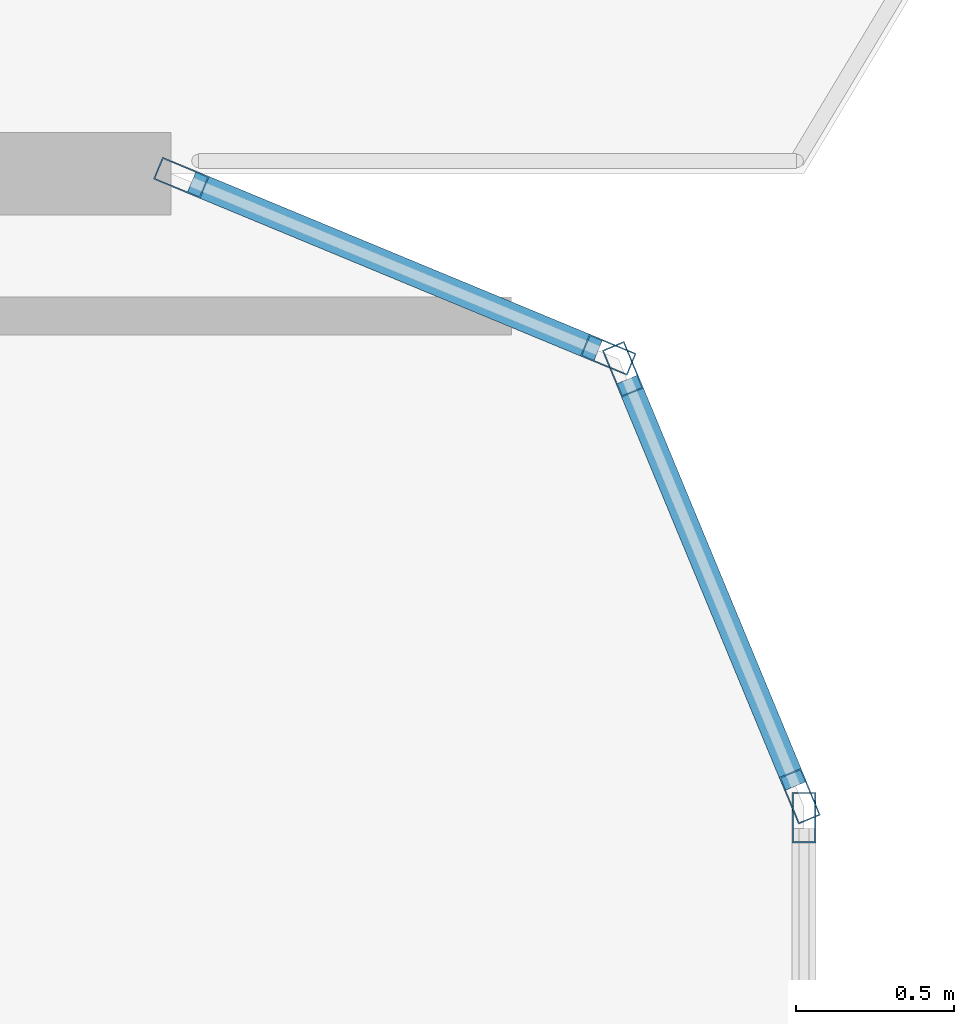
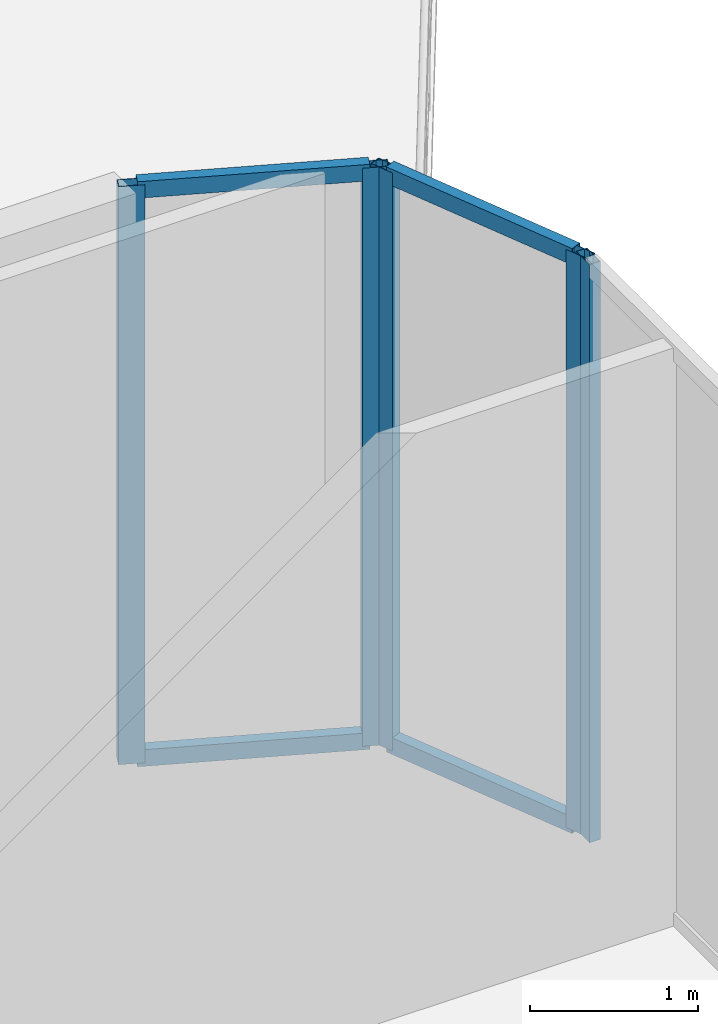
# One storey, part 14 of 28: 9 members, 3 elements without a shape of their own.
"""IFC4 building model written with IfcOpenShell, lengths in metres."""

from ifc_helpers import new_model, si_unit, direction, frame, origin, origin_2d, place, context, subcontext, project, spatial, hollow_rectangle, extrude, material, layer, layer_set, material_profile, profile_set, type_object, element, aggregate, save


model = new_model("IFC4")

# Units and contexts
model_context = context("Model", 3, precision=1e-05, world=origin(), true_north=direction((0.0, 1.0)))
body_context = subcontext(model_context, "Body", "Model", "MODEL_VIEW")
ifc_project = project(units=[si_unit("LENGTHUNIT", "METRE"), si_unit("AREAUNIT", "SQUARE_METRE"), si_unit("VOLUMEUNIT", "CUBIC_METRE"), si_unit("PLANEANGLEUNIT", "RADIAN"), si_unit("MASSUNIT", "GRAM", prefix="KILO")], contexts=[model_context])

# Site, building, storey
site_placement = place(None, origin())
site = spatial("IfcSite", under=ifc_project, at=site_placement, CompositionType="ELEMENT")
building_placement = place(site_placement, origin())
building = spatial("IfcBuilding", under=site, at=building_placement, Name="Keshet Zoharim Tower", CompositionType="ELEMENT")
storey_placement = place(building_placement, frame((0.0, 0.0, 164.60009765625)))
storey = spatial("IfcBuildingStorey", under=building, at=storey_placement, Name="L40", CompositionType="ELEMENT", Elevation=164.60009765625)

# Curtain wall, members
ifc_material = material(Name="Aluminium 6063-T6", Category="aluminium")
ifc_layer = layer(ifc_material, 0.139892578125)
ifc_layer_set = layer_set([ifc_layer], Name="Aluminium 6063-T6")
curtain_wall_type = type_object("IfcCurtainWallType", Name="CW-SYS-05", PredefinedType="NOTDEFINED", material=ifc_layer_set)
curtain_wall_1_placement = place(storey_placement, origin())
curtain_wall_1 = element("IfcCurtainWall", 1, at=curtain_wall_1_placement, inside=storey, type_object=curtain_wall_type, Name="L40 Unitised Curtain Wall 01", PredefinedType="NOTDEFINED")
ifc_material_profile_1 = material_profile(ifc_material, hollow_rectangle(XDim=0.074951171875, YDim=0.159912109375, WallThickness=0.00390625, at=origin_2d()), Name="MUL-75x160")
ifc_profile_set_1 = profile_set([ifc_material_profile_1], Name="Aluminium 6063-T6")
member_type_1 = type_object("IfcMemberType", Name="CWM-M15", PredefinedType="MULLION", material=ifc_profile_set_1)
member_1_placement = place(storey_placement, frame((55.0322265625, 27.88671875, 0.0), z_axis=(0.0, 0.0, 1.0), x_axis=(0.382851849847, 0.92380975372, 0.0)))
member_1 = element("IfcMember", 2, at=member_1_placement, type_object=member_type_1, Name="CW-05 mullion 1", PredefinedType="MULLION", context=body_context, shape_type="SweptSolid", body=[
    extrude(hollow_rectangle(XDim=0.074951171875, YDim=0.159912109375, WallThickness=0.00390625, at=origin_2d()), origin(), (0.0, 0.0, 1.0), 4.18994140625),
])
member_2_placement = place(storey_placement, frame((56.381591796875, 27.327392578125, 0.0), z_axis=(0.0, 0.0, 1.0), x_axis=(0.382851849847, 0.92380975372, 0.0)))
member_2 = element("IfcMember", 3, at=member_2_placement, type_object=member_type_1, Name="CW-05 mullion 2", PredefinedType="MULLION", context=body_context, shape_type="SweptSolid", body=[
    extrude(hollow_rectangle(XDim=0.074951171875, YDim=0.159912109375, WallThickness=0.00390625, at=origin_2d()), origin(), (0.0, 0.0, 1.0), 4.18994140625),
])

curtain_wall_2_placement = place(storey_placement, origin())
curtain_wall_2 = element("IfcCurtainWall", 4, at=curtain_wall_2_placement, inside=storey, type_object=curtain_wall_type, Name="L40 Unitised Curtain Wall 02", PredefinedType="NOTDEFINED")
member_3_placement = place(storey_placement, frame((56.427490234375, 27.28173828125, 0.0), z_axis=(0.0, 0.0, 1.0), x_axis=(0.92380975372, 0.382851849847, 0.0)))
member_3 = element("IfcMember", 5, at=member_3_placement, type_object=member_type_1, Name="CW-05 mullion 1", PredefinedType="MULLION", context=body_context, shape_type="SweptSolid", body=[
    extrude(hollow_rectangle(XDim=0.074951171875, YDim=0.159912109375, WallThickness=0.00390625, at=origin_2d()), origin(), (0.0, 0.0, 1.0), 4.18994140625),
])
member_4_placement = place(storey_placement, frame((56.986572265625, 25.932373046875, 0.0), z_axis=(0.0, 0.0, 1.0), x_axis=(0.92380975372, 0.382851849847, 0.0)))
member_4 = element("IfcMember", 6, at=member_4_placement, type_object=member_type_1, Name="CW-05 mullion 2", PredefinedType="MULLION", context=body_context, shape_type="SweptSolid", body=[
    extrude(hollow_rectangle(XDim=0.074951171875, YDim=0.159912109375, WallThickness=0.00390625, at=origin_2d()), origin(), (0.0, 0.0, 1.0), 4.18994140625),
])

# Curtain wall, member
curtain_wall_3_placement = place(storey_placement, origin())
curtain_wall_3 = element("IfcCurtainWall", 7, at=curtain_wall_3_placement, inside=storey, type_object=curtain_wall_type, Name="L40 Unitised Curtain Wall 03", PredefinedType="NOTDEFINED")
member_5_placement = place(storey_placement, frame((57.0, 25.864990234375, 0.0), z_axis=(0.0, 0.0, 1.0), x_axis=(1.0, 0.0, 0.0)))
member_5 = element("IfcMember", 8, at=member_5_placement, type_object=member_type_1, Name="CW-05 mullion 1", PredefinedType="MULLION", context=body_context, shape_type="SweptSolid", body=[
    extrude(hollow_rectangle(XDim=0.074951171875, YDim=0.159912109375, WallThickness=0.00390625, at=origin_2d()), origin(), (0.0, 0.0, 1.0), 4.18994140625),
])
aggregate(curtain_wall_3, [member_5])

# Member
ifc_material_profile_2 = material_profile(ifc_material, hollow_rectangle(XDim=0.074951171875, YDim=0.1201171875, WallThickness=0.00390625, at=origin_2d()), Name="TRN-75x120")
ifc_profile_set_2 = profile_set([ifc_material_profile_2], Name="Aluminium 6063-T6")
member_type_2 = type_object("IfcMemberType", Name="CWT-T12", PredefinedType="USERDEFINED", material=ifc_profile_set_2)
member_6_placement = place(storey_placement, frame((55.064697265625, 27.873291015625, 0.034912109375), z_axis=(0.92379209995, -0.382894445076, 0.0), x_axis=(0.382894445076, 0.92379209995, 0.0)))
member_6 = element("IfcMember", 9, at=member_6_placement, type_object=member_type_2, Name="CW-05 transom 1.1", ObjectType="TRANSOM", PredefinedType="USERDEFINED", context=body_context, shape_type="SweptSolid", body=[
    extrude(hollow_rectangle(XDim=0.074951171875, YDim=0.1201171875, WallThickness=0.00390625, at=origin_2d()), origin(), (0.0, 0.0, 1.0), 1.390625),
])

member_7_placement = place(storey_placement, frame((55.064697265625, 27.873291015625, 4.15478515625), z_axis=(0.92379209995, -0.382894445076, 0.0), x_axis=(0.382894445076, 0.92379209995, 0.0)))
member_7 = element("IfcMember", 10, at=member_7_placement, type_object=member_type_2, Name="CW-05 transom 1.2", ObjectType="TRANSOM", PredefinedType="USERDEFINED", context=body_context, shape_type="SweptSolid", body=[
    extrude(hollow_rectangle(XDim=0.074951171875, YDim=0.1201171875, WallThickness=0.00390625, at=origin_2d()), origin(), (0.0, 0.0, 1.0), 1.390625),
])

aggregate(curtain_wall_1, [member_1, member_2, member_6, member_7])

member_8_placement = place(storey_placement, frame((56.44091796875, 27.249267578125, 0.034912109375), z_axis=(0.382744609247, -0.923854189844, 0.0), x_axis=(0.923854189844, 0.382744609247, 0.0)))
member_8 = element("IfcMember", 11, at=member_8_placement, type_object=member_type_2, Name="CW-05 transom 1.1", ObjectType="TRANSOM", PredefinedType="USERDEFINED", context=body_context, shape_type="SweptSolid", body=[
    extrude(hollow_rectangle(XDim=0.074951171875, YDim=0.1201171875, WallThickness=0.00390625, at=origin_2d()), origin(), (0.0, 0.0, 1.0), 1.390625),
])

member_9_placement = place(storey_placement, frame((56.44091796875, 27.249267578125, 4.15478515625), z_axis=(0.382744609247, -0.923854189844, 0.0), x_axis=(0.923854189844, 0.382744609247, 0.0)))
member_9 = element("IfcMember", 12, at=member_9_placement, type_object=member_type_2, Name="CW-05 transom 1.2", ObjectType="TRANSOM", PredefinedType="USERDEFINED", context=body_context, shape_type="SweptSolid", body=[
    extrude(hollow_rectangle(XDim=0.074951171875, YDim=0.1201171875, WallThickness=0.00390625, at=origin_2d()), origin(), (0.0, 0.0, 1.0), 1.390625),
])

aggregate(curtain_wall_2, [member_3, member_4, member_8, member_9])

save(model, "model.ifc")
